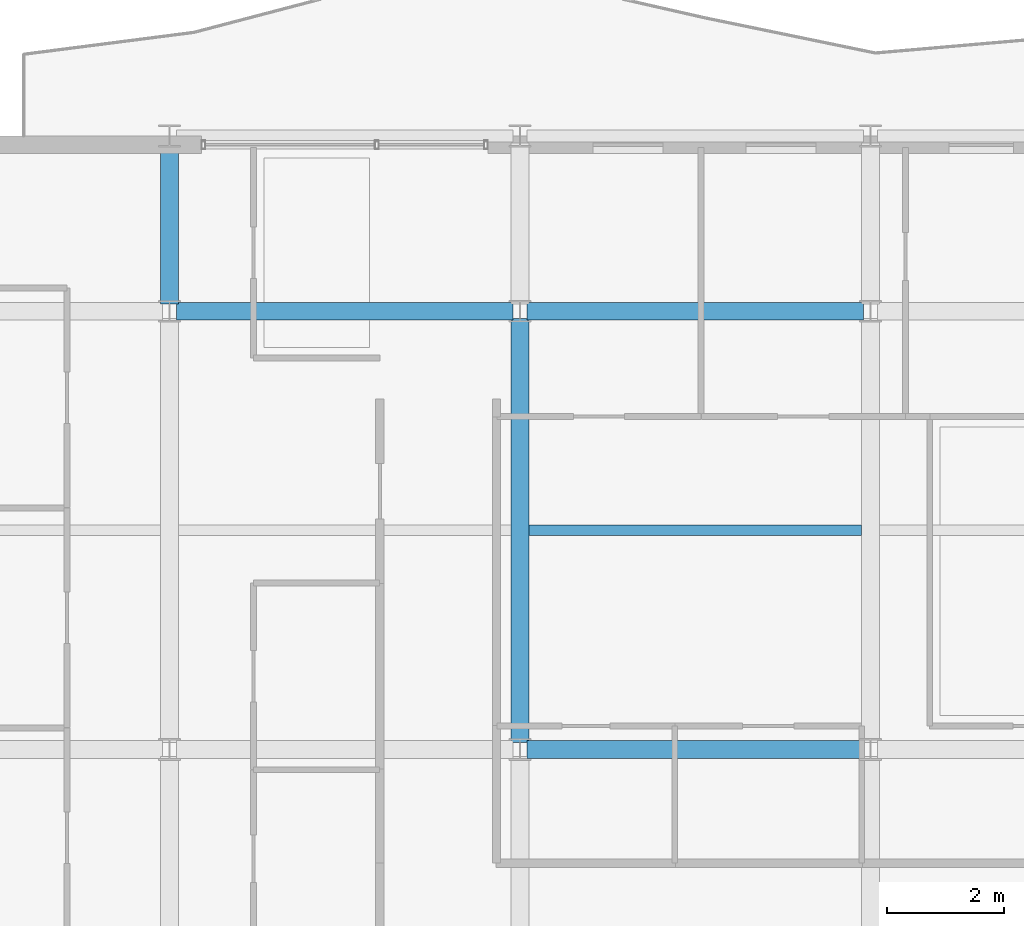
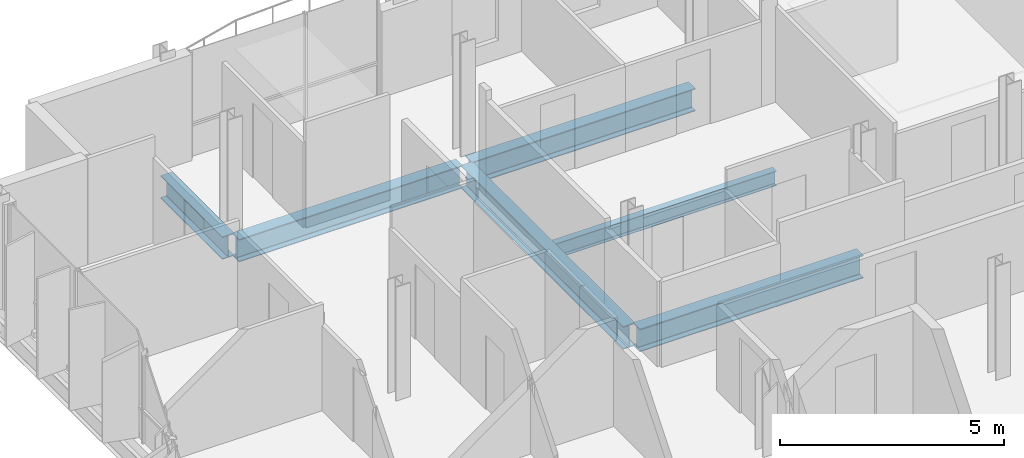
# One storey, part 7 of 35: 6 beams.
"""IFC4 building model written with IfcOpenShell, lengths in metres."""

from ifc_helpers import new_model, si_unit, direction, frame, origin, origin_2d, place, context, subcontext, project, spatial, i_section, extrude, material, material_profile, profile_set, type_object, element, save


model = new_model("IFC4")

# Units and contexts
model_context = context("Model", 3, precision=1e-05, world=origin(), true_north=direction((0.0, 1.0)))
body_context = subcontext(model_context, "Body", "Model", "MODEL_VIEW")
ifc_project = project(units=[si_unit("LENGTHUNIT", "METRE"), si_unit("AREAUNIT", "SQUARE_METRE"), si_unit("VOLUMEUNIT", "CUBIC_METRE"), si_unit("PLANEANGLEUNIT", "RADIAN"), si_unit("MASSUNIT", "GRAM", prefix="KILO")], contexts=[model_context])

# Site, building, storey
site_placement = place(None, origin())
site = spatial("IfcSite", under=ifc_project, at=site_placement, CompositionType="ELEMENT")
building_placement = place(site_placement, origin())
building = spatial("IfcBuilding", under=site, at=building_placement, Name="Brevholm Reach", CompositionType="ELEMENT")
storey_placement = place(building_placement, frame((0.0, 0.0, 218.0)))
storey = spatial("IfcBuildingStorey", under=building, at=storey_placement, Name="L66", CompositionType="ELEMENT", Elevation=218.0)

# Beams
ifc_material_1 = material(Name="Structural Steel S355J2", Category="steel")
ifc_material_profile_1 = material_profile(ifc_material_1, i_section(OverallWidth=0.177978515625, OverallDepth=0.406494140625, WebThickness=0.0078125, FlangeThickness=0.0126953125, FilletRadius=0.01025390625, at=origin_2d()), Name="UKB 406x178x60")
ifc_profile_set_1 = profile_set([ifc_material_profile_1], Name="Structural Steel S355J2")
beam_type_1 = type_object("IfcBeamType", Name="BM-B406", PredefinedType="BEAM", material=ifc_profile_set_1)
beam_1_placement = place(storey_placement, frame((12.153564453125, 19.75, -0.47314453125), z_axis=(1.0, 0.0, 0.0), x_axis=(0.0, 1.0, 0.0)))
element("IfcBeam", 1, at=beam_1_placement, inside=storey, type_object=beam_type_1, Name="L66 Composite Secondary Floor Beam", PredefinedType="BEAM", context=body_context, shape_type="SweptSolid", body=[
    extrude(i_section(OverallWidth=0.177978515625, OverallDepth=0.406494140625, WebThickness=0.0078125, FlangeThickness=0.0126953125, FilletRadius=0.01025390625, at=origin_2d()), origin(), (0.0, 0.0, 1.0), 5.69287109375),
])
ifc_material_2 = material(Name="Structural Steel S355J2", Category="steel")
ifc_material_profile_2 = material_profile(ifc_material_2, i_section(OverallWidth=0.30712890625, OverallDepth=0.6201171875, WebThickness=0.01416015625, FlangeThickness=0.023681640625, FilletRadius=0.0166015625, at=origin_2d()), Name="UKB 610x305x179")
ifc_profile_set_2 = profile_set([ifc_material_profile_2], Name="Structural Steel S355J2")
beam_type_2 = type_object("IfcBeamType", Name="BM-UKB610H", PredefinedType="USERDEFINED", material=ifc_profile_set_2)
for number, where, z_axis, x_axis, name in (
    (2, (12.1201171875, 16.0, -0.580078125), (1.0, 0.0, 0.0), (0.0, 1.0, 0.0), "L66 G-06 Framing Beam"),
    (3, (6.1201171875, 23.5, -0.580078125), (1.0, 0.0, 0.0), (0.0, 1.0, 0.0), "L66 G-06 Framing Beam"),
    (4, (12.1201171875, 23.5, -0.580078125), (1.0, 0.0, 0.0), (0.0, 1.0, 0.0), "L66 G-06 Framing Beam"),
):
    element("IfcBeam", number, at=place(storey_placement, frame(where, z_axis=z_axis, x_axis=x_axis)), inside=storey, type_object=beam_type_2, Name=name, ObjectType="GIRDER", PredefinedType="USERDEFINED", context=body_context, shape_type="SweptSolid", body=[
        extrude(i_section(OverallWidth=0.30712890625, OverallDepth=0.6201171875, WebThickness=0.01416015625, FlangeThickness=0.023681640625, FilletRadius=0.0166015625, at=origin_2d()), origin(), (0.0, 0.0, 1.0), 5.759765625),
    ])
beam_2_placement = place(storey_placement, frame((6.0, 23.6201171875, -0.580078125), z_axis=(0.0, 1.0, 0.0), x_axis=(-1.0, 0.0, 0.0)))
element("IfcBeam", 5, at=beam_2_placement, inside=storey, type_object=beam_type_2, Name="L66 G-06 Framing Beam", ObjectType="GIRDER", PredefinedType="USERDEFINED", context=body_context, shape_type="SweptSolid", body=[
    extrude(i_section(OverallWidth=0.30712890625, OverallDepth=0.6201171875, WebThickness=0.01416015625, FlangeThickness=0.023681640625, FilletRadius=0.0166015625, at=origin_2d()), origin(), (0.0, 0.0, 1.0), 2.759765625),
])
beam_3_placement = place(storey_placement, frame((12.0, 16.1201171875, -0.580078125), z_axis=(0.0, 1.0, 0.0), x_axis=(-1.0, 0.0, 0.0)))
element("IfcBeam", 6, at=beam_3_placement, inside=storey, type_object=beam_type_2, Name="L66 G-06 Framing Beam", ObjectType="GIRDER", PredefinedType="USERDEFINED", context=body_context, shape_type="SweptSolid", body=[
    extrude(i_section(OverallWidth=0.30712890625, OverallDepth=0.6201171875, WebThickness=0.01416015625, FlangeThickness=0.023681640625, FilletRadius=0.0166015625, at=origin_2d()), origin(), (0.0, 0.0, 1.0), 7.259765625),
])

save(model, "model.ifc")
